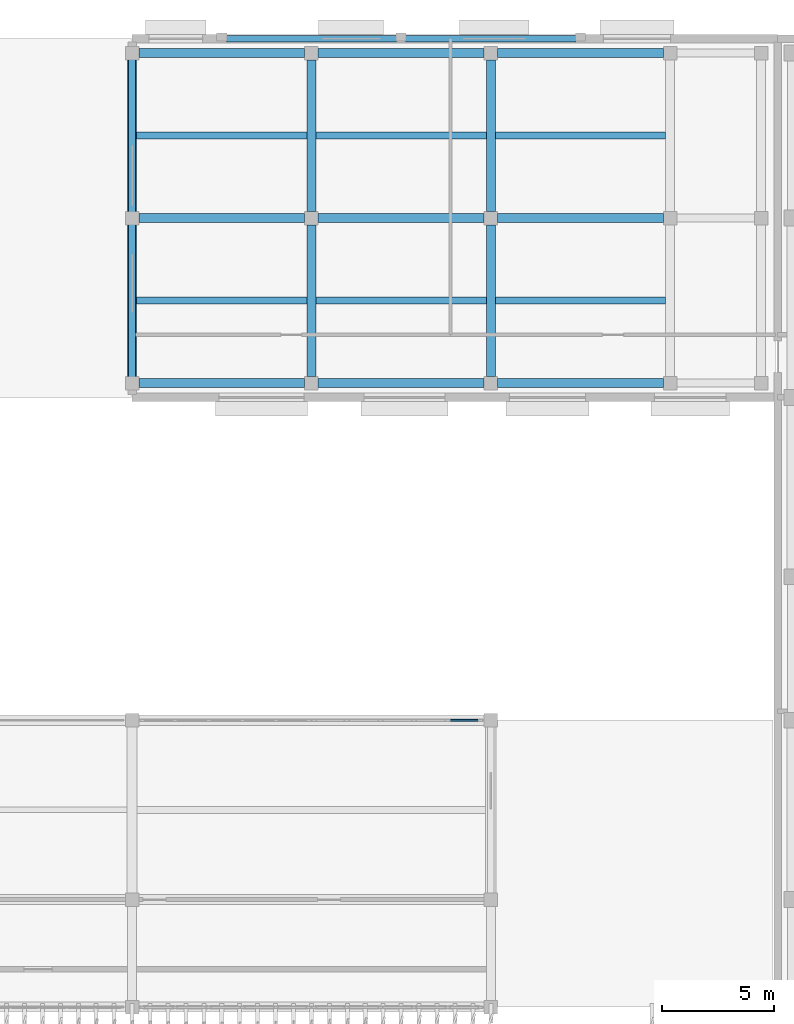
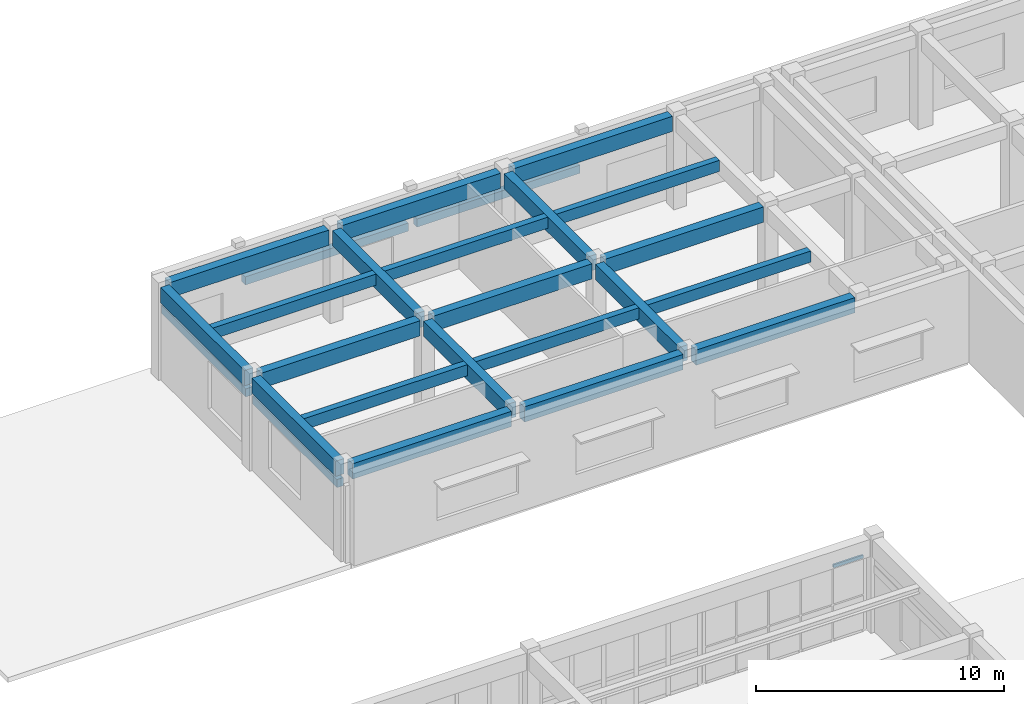
# One storey, part 38 of 76: 25 beams, 1 member, 1 element without a shape of its own.
"""IFC4 building model written with IfcOpenShell, lengths in metres."""

import ifcopenshell
import ifcopenshell.guid

model = None  # the IFC model being written
_history = None  # IfcOwnerHistory: only IFC2X3 demands one
_inside = {}  # id of a spatial element -> (the spatial element, [elements in it])
_under = {}  # id of a project, library or spatial element -> (it, [spatial elements below it])
_declared = {}  # id of a project -> (the project, [libraries it declares])
_typed = {}  # id of a type object -> (the type object, [elements of that type])
_made_of = {}  # id of a material, layer set ... -> (it, [elements and type objects made of it])


def new_model(schema):
    """Start an empty IFC model of exactly this schema.

    Asked for "IFC4X3", IfcOpenShell would pick the latest addendum, in which some entities
    have other attributes; the version numbers below select the first issue.
    IFC2X3 requires an IfcOwnerHistory on every rooted entity: one is made here for all.
    """
    global model, _history
    if schema == "IFC4X3":
        model = ifcopenshell.file(schema_version=(4, 3, 0, 0))
    else:
        model = ifcopenshell.file(schema=schema)
    _inside.clear()
    _under.clear()
    _declared.clear()
    _typed.clear()
    _made_of.clear()
    _history = None
    if model.schema == "IFC2X3":
        org = make("IfcOrganization", Name="unknown")
        user = make(
            "IfcPersonAndOrganization",
            ThePerson=make("IfcPerson", FamilyName="unknown"),
            TheOrganization=org,
        )
        app = make(
            "IfcApplication",
            ApplicationDeveloper=org,
            Version="unknown",
            ApplicationFullName="unknown",
            ApplicationIdentifier="unknown",
        )
        _history = make(
            "IfcOwnerHistory",
            OwningUser=user,
            OwningApplication=app,
            ChangeAction="ADDED",
            CreationDate=0,
        )
    return model


def make(cls, **values):
    """One entity of the class cls with the attributes given. An attribute that is None is left unset."""
    return model.create_entity(
        cls, **{name: value for name, value in values.items() if value is not None}
    )


def rooted(cls, **values):
    """An entity with a GlobalId (a new one), such as an element, a storey or a relation."""
    return make(cls, GlobalId=ifcopenshell.guid.new(), OwnerHistory=_history, **values)


def si_unit(unit_type, name, prefix=None):
    """IfcSIUnit, for example si_unit("LENGTHUNIT", "METRE", prefix="MILLI")."""
    return make("IfcSIUnit", UnitType=unit_type, Prefix=prefix, Name=name)


def assignment(units):
    """IfcUnitAssignment: the units of a project."""
    return None if units is None else make("IfcUnitAssignment", Units=units)


def point(xyz):
    """IfcCartesianPoint."""
    return None if xyz is None else make("IfcCartesianPoint", Coordinates=xyz)


def direction(xyz):
    """IfcDirection."""
    return None if xyz is None else make("IfcDirection", DirectionRatios=xyz)


def frame(location, z_axis=None, x_axis=None):
    """IfcAxis2Placement3D, a coordinate frame: its origin and axes. An axis left out is left unset."""
    return make(
        "IfcAxis2Placement3D",
        Location=point(location),
        Axis=direction(z_axis),
        RefDirection=direction(x_axis),
    )


def frame_2d(location, x_axis=None):
    """IfcAxis2Placement2D, a coordinate frame in the plane: its origin and x axis."""
    return make(
        "IfcAxis2Placement2D", Location=point(location), RefDirection=direction(x_axis)
    )


def origin():
    """The frame at (0, 0, 0) with its axes left unset."""
    return frame((0.0, 0.0, 0.0))


def origin_2d():
    """The frame at (0, 0) in the plane with its x axis left unset."""
    return frame_2d((0.0, 0.0))


def place(relative_to, where):
    """IfcLocalPlacement: puts the frame where relative to a parent placement (None: the world)."""
    return make(
        "IfcLocalPlacement", PlacementRelTo=relative_to, RelativePlacement=where
    )


def context(
    kind, dimensions, precision=None, world=None, true_north=None, identifier=None
):
    """IfcGeometricRepresentationContext, for example the 3D "Model" context."""
    return make(
        "IfcGeometricRepresentationContext",
        ContextIdentifier=identifier,
        ContextType=kind,
        CoordinateSpaceDimension=dimensions,
        Precision=precision,
        WorldCoordinateSystem=world,
        TrueNorth=true_north,
    )


def subcontext(parent, identifier, kind, view, scale=None):
    """IfcGeometricRepresentationSubContext, for example "Body" below "Model"."""
    return make(
        "IfcGeometricRepresentationSubContext",
        ContextIdentifier=identifier,
        ContextType=kind,
        ParentContext=parent,
        TargetScale=scale,
        TargetView=view,
    )


def project(units=None, contexts=None):
    """IfcProject with its units and contexts."""
    return rooted(
        "IfcProject",
        Name="project",
        RepresentationContexts=contexts,
        UnitsInContext=assignment(units),
    )


def spatial(cls, under=None, at=None, **own):
    """A site, building, storey or space (cls), placed at a placement, below another one or the project."""
    s = rooted(cls, ObjectPlacement=at, **own)
    if under is not None:
        _under.setdefault(under.id(), (under, []))[1].append(s)
    return s


def profile(cls, at=None, kind="AREA", **sizes):
    """A parametric profile (cls). Its sizes go by their IFC names, for example OverallWidth=200.0."""
    return make(cls, ProfileType=kind, Position=at, **sizes)


def rectangle(**sizes):
    """IfcRectangleProfileDef."""
    return profile("IfcRectangleProfileDef", **sizes)


def extrude(swept, where, along, depth):
    """IfcExtrudedAreaSolid: the profile swept, set in the frame where, extruded along a direction by depth."""
    return make(
        "IfcExtrudedAreaSolid",
        SweptArea=swept,
        Position=where,
        ExtrudedDirection=direction(along),
        Depth=depth,
    )


def shape(context_of_items, identifier, shape_type, items):
    """IfcShapeRepresentation: the items that make up one representation, for example the "Body"."""
    return make(
        "IfcShapeRepresentation",
        ContextOfItems=context_of_items,
        RepresentationIdentifier=identifier,
        RepresentationType=shape_type,
        Items=items,
    )


def material(Name=None, Category=None):
    """IfcMaterial."""
    return make("IfcMaterial", Name=Name, Category=Category)


def layer(
    of_material, thickness, ventilated=None, Name=None, Category=None, Priority=None
):
    """IfcMaterialLayer: one layer of a wall or slab, of a material (None: an air gap)."""
    return make(
        "IfcMaterialLayer",
        Material=of_material,
        LayerThickness=thickness,
        IsVentilated=ventilated,
        Name=Name,
        Category=Category,
        Priority=Priority,
    )


def layer_set(layers, Name=None):
    """IfcMaterialLayerSet."""
    return make("IfcMaterialLayerSet", MaterialLayers=layers, LayerSetName=Name)


def material_profile(
    of_material, cross_section, Name=None, Category=None, Priority=None
):
    """IfcMaterialProfile: a cross section and its material."""
    return make(
        "IfcMaterialProfile",
        Name=Name,
        Material=of_material,
        Profile=cross_section,
        Priority=Priority,
        Category=Category,
    )


def profile_set(profiles, Name=None, composite=None):
    """IfcMaterialProfileSet."""
    return make(
        "IfcMaterialProfileSet",
        Name=Name,
        MaterialProfiles=profiles,
        CompositeProfile=composite,
    )


def made_of(thing, what):
    """Note that an element or type object is made of a material, layer set ...; save() writes the relation."""
    if what is not None:
        _made_of.setdefault(what.id(), (what, []))[1].append(thing)
    return thing


def type_object(cls, material=None, **own):
    """A type object (cls), such as IfcWallType, which elements share."""
    return made_of(rooted(cls, **own), material)


def element(
    cls,
    number,
    at=None,
    inside=None,
    cuts=None,
    type_object=None,
    material=None,
    context=None,
    identifier="Body",
    shape_type=None,
    held_by="IfcProductDefinitionShape",
    body=None,
    shapes=None,
    **own,
):
    """One element of the class cls, such as IfcWall. Its Tag is "e" and its number.

    at: its placement. inside: the storey or other place that contains it. cuts: it is an
    opening in that element (IfcRelVoidsElement). A single representation is given by context,
    identifier, shape_type and body (its items); several are given by shapes. held_by: the class
    of the entity that holds the representations. save() writes the other relations.
    """
    e = rooted(cls, Tag="e%d" % number, ObjectPlacement=at, **own)
    if body is not None:
        shapes = [shape(context, identifier, shape_type, body)]
    if shapes is not None:
        e.Representation = make(held_by, Representations=shapes)
    if inside is not None:
        _inside.setdefault(inside.id(), (inside, []))[1].append(e)
    if cuts is not None:
        rooted(
            "IfcRelVoidsElement", RelatingBuildingElement=cuts, RelatedOpeningElement=e
        )
    if type_object is not None:
        _typed.setdefault(type_object.id(), (type_object, []))[1].append(e)
    return made_of(e, material)


def aggregate(whole, parts):
    """IfcRelAggregates: a whole, such as a stair, and the parts it consists of."""
    return rooted("IfcRelAggregates", RelatingObject=whole, RelatedObjects=parts)


def save(model, path):
    """Write the relations noted so far, then the file.

    IfcRelAggregates (storeys below a building ...), IfcRelContainedInSpatialStructure (elements
    in a storey), IfcRelDefinesByType, IfcRelAssociatesMaterial and IfcRelDeclares: one each for
    every whole, place, type object, material and project.
    """
    for whole, parts in _under.values():
        aggregate(whole, parts)
    for where, things in _inside.values():
        rooted(
            "IfcRelContainedInSpatialStructure",
            RelatedElements=things,
            RelatingStructure=where,
        )
    for kind, things in _typed.values():
        rooted("IfcRelDefinesByType", RelatedObjects=things, RelatingType=kind)
    for what, things in _made_of.values():
        rooted("IfcRelAssociatesMaterial", RelatedObjects=things, RelatingMaterial=what)
    for by, libraries in _declared.values():
        rooted("IfcRelDeclares", RelatingContext=by, RelatedDefinitions=libraries)
    model.write(path)


model = new_model("IFC4")

# Units and contexts
model_context = context("Model", 3, precision=1e-05, world=origin(), true_north=direction((0.0, 1.0)))
body_context = subcontext(model_context, "Body", "Model", "MODEL_VIEW")
ifc_project = project(units=[si_unit("LENGTHUNIT", "METRE"), si_unit("AREAUNIT", "SQUARE_METRE"), si_unit("VOLUMEUNIT", "CUBIC_METRE"), si_unit("PLANEANGLEUNIT", "RADIAN"), si_unit("MASSUNIT", "GRAM", prefix="KILO")], contexts=[model_context])

# Site, building, storey
site_placement = place(None, origin())
site = spatial("IfcSite", under=ifc_project, at=site_placement, CompositionType="ELEMENT")
building_placement = place(site_placement, origin())
building = spatial("IfcBuilding", under=site, at=building_placement, Name="Cinchona Park Media Centre", CompositionType="ELEMENT")
storey_placement = place(building_placement, frame((0.0, 0.0, 15.60009765625)))
storey = spatial("IfcBuildingStorey", under=building, at=storey_placement, Name="L03", CompositionType="ELEMENT", Elevation=15.60009765625)

# Beams
ifc_material_1 = material(Name="Concrete C35/45", Category="concrete")
ifc_material_profile_1 = material_profile(ifc_material_1, rectangle(XDim=0.39990234375, YDim=0.75, at=origin_2d()), Name="RB 400X750")
ifc_profile_set_1 = profile_set([ifc_material_profile_1], Name="Concrete C35/45")
beam_type_1 = type_object("IfcBeamType", Name="BEAM-B01-RB400X750", PredefinedType="BEAM", material=ifc_profile_set_1)
for number, where, z_axis, x_axis, name in (
    (1, (111.10009765625, 102.639892578125, 4.179931640625), (1.0, 0.0, 0.0), (0.0, 1.0, 0.0), "Beam B01 L03"),
    (2, (119.10009765625, 102.639892578125, 4.179931640625), (1.0, 0.0, 0.0), (0.0, 1.0, 0.0), "Beam B01 L03"),
    (3, (127.10009765625, 102.639892578125, 4.179931640625), (1.0, 0.0, 0.0), (0.0, 1.0, 0.0), "Beam B01 L03"),
    (4, (111.10009765625, 110.0, 4.179931640625), (1.0, 0.0, 0.0), (0.0, 1.0, 0.0), "Beam B01 L03"),
    (5, (119.10009765625, 110.0, 4.179931640625), (1.0, 0.0, 0.0), (0.0, 1.0, 0.0), "Beam B01 L03"),
    (6, (127.10009765625, 110.0, 4.179931640625), (1.0, 0.0, 0.0), (0.0, 1.0, 0.0), "Beam B01 L03"),
    (7, (111.10009765625, 117.360107421875, 4.179931640625), (1.0, 0.0, 0.0), (0.0, 1.0, 0.0), "Beam B01 L03"),
    (8, (119.10009765625, 117.360107421875, 4.179931640625), (1.0, 0.0, 0.0), (0.0, 1.0, 0.0), "Beam B01 L03"),
    (9, (127.10009765625, 117.360107421875, 4.179931640625), (1.0, 0.0, 0.0), (0.0, 1.0, 0.0), "Beam B01 L03"),
):
    element("IfcBeam", number, at=place(storey_placement, frame(where, z_axis=z_axis, x_axis=x_axis)), inside=storey, type_object=beam_type_1, Name=name, PredefinedType="BEAM", context=body_context, shape_type="SweptSolid", body=[
        extrude(rectangle(XDim=0.39990234375, YDim=0.75, at=origin_2d()), origin(), (0.0, 0.0, 1.0), 7.39990234375),
    ])
for number, where, z_axis, x_axis, name in (
    (10, (110.800048828125, 102.93994140625, 4.179931640625), (0.0, 1.0, 0.0), (-1.0, 0.0, 0.0), "Girder B01 L03"),
    (11, (110.800048828125, 110.300048828125, 4.179931640625), (0.0, 1.0, 0.0), (-1.0, 0.0, 0.0), "Girder B01 L03"),
    (12, (118.800048828125, 102.93994140625, 4.179931640625), (0.0, 1.0, 0.0), (-1.0, 0.0, 0.0), "Girder B01 L03"),
    (13, (118.800048828125, 110.300048828125, 4.179931640625), (0.0, 1.0, 0.0), (-1.0, 0.0, 0.0), "Girder B01 L03"),
    (14, (126.800048828125, 102.93994140625, 4.179931640625), (0.0, 1.0, 0.0), (-1.0, 0.0, 0.0), "Girder B01 L03"),
    (15, (126.800048828125, 110.300048828125, 4.179931640625), (0.0, 1.0, 0.0), (-1.0, 0.0, 0.0), "Girder B01 L03"),
):
    element("IfcBeam", number, at=place(storey_placement, frame(where, z_axis=z_axis, x_axis=x_axis)), inside=storey, type_object=beam_type_1, Name=name, PredefinedType="BEAM", context=body_context, shape_type="SweptSolid", body=[
        extrude(rectangle(XDim=0.39990234375, YDim=0.75, at=origin_2d()), origin(), (0.0, 0.0, 1.0), 6.760009765625),
    ])
ifc_material_2 = material(Name="Concrete C35/45", Category="concrete")
ifc_material_profile_2 = material_profile(ifc_material_2, rectangle(XDim=0.300048828125, YDim=0.550048828125, at=origin_2d()), Name="RB 300X550")
ifc_profile_set_2 = profile_set([ifc_material_profile_2], Name="Concrete C35/45")
beam_type_2 = type_object("IfcBeamType", Name="BEAM-J01-RB300X550", PredefinedType="JOIST", material=ifc_profile_set_2)
for number, where, z_axis, x_axis, name in (
    (16, (111.0, 106.320068359375, 4.27978515625), (1.0, 0.0, 0.0), (0.0, 1.0, 0.0), "Floor Joist J01 L03"),
    (17, (111.0, 113.679931640625, 4.27978515625), (1.0, 0.0, 0.0), (0.0, 1.0, 0.0), "Floor Joist J01 L03"),
    (18, (119.0, 106.320068359375, 4.27978515625), (1.0, 0.0, 0.0), (0.0, 1.0, 0.0), "Floor Joist J01 L03"),
    (19, (119.0, 113.679931640625, 4.27978515625), (1.0, 0.0, 0.0), (0.0, 1.0, 0.0), "Floor Joist J01 L03"),
    (20, (127.0, 106.320068359375, 4.27978515625), (1.0, 0.0, 0.0), (0.0, 1.0, 0.0), "Floor Joist J01 L03"),
    (21, (127.0, 113.679931640625, 4.27978515625), (1.0, 0.0, 0.0), (0.0, 1.0, 0.0), "Floor Joist J01 L03"),
):
    element("IfcBeam", number, at=place(storey_placement, frame(where, z_axis=z_axis, x_axis=x_axis)), inside=storey, type_object=beam_type_2, Name=name, PredefinedType="JOIST", context=body_context, shape_type="SweptSolid", body=[
        extrude(rectangle(XDim=0.300048828125, YDim=0.550048828125, at=origin_2d()), origin(), (0.0, 0.0, 1.0), 7.60009765625),
    ])
ifc_material_3 = material(Name="Concrete C35/45", Category="concrete")
ifc_material_profile_3 = material_profile(ifc_material_3, rectangle(XDim=0.300048828125, YDim=0.39990234375, at=origin_2d()), Name="RL 300X400")
ifc_profile_set_3 = profile_set([ifc_material_profile_3], Name="Concrete C35/45")
beam_type_3 = type_object("IfcBeamType", Name="BEAM-LN02-RL300X400", PredefinedType="LINTEL", material=ifc_profile_set_3)
for number, where, z_axis, x_axis, name in (
    (22, (115.0048828125, 118.0, 2.849853515625), (1.0, 0.0, 0.0), (0.0, 1.0, 0.0), "Window Lintel LN02"),
    (23, (123.0048828125, 118.0, 2.89990234375), (1.0, 0.0, 0.0), (0.0, 1.0, 0.0), "Window Lintel LN02"),
):
    element("IfcBeam", number, at=place(storey_placement, frame(where, z_axis=z_axis, x_axis=x_axis)), inside=storey, type_object=beam_type_3, Name=name, PredefinedType="LINTEL", context=body_context, shape_type="SweptSolid", body=[
        extrude(rectangle(XDim=0.300048828125, YDim=0.39990234375, at=origin_2d()), origin(), (0.0, 0.0, 1.0), 7.590087890625),
    ])
for number, where, z_axis, x_axis, name in (
    (24, (110.800048828125, 102.919921875, 3.449951171875), (0.0, 1.0, 0.0), (-1.0, 0.0, 0.0), "Window Lintel LN02"),
    (25, (110.800048828125, 110.280029296875, 3.449951171875), (0.0, 1.0, 0.0), (-1.0, 0.0, 0.0), "Window Lintel LN02"),
):
    element("IfcBeam", number, at=place(storey_placement, frame(where, z_axis=z_axis, x_axis=x_axis)), inside=storey, type_object=beam_type_3, Name=name, PredefinedType="LINTEL", context=body_context, shape_type="SweptSolid", body=[
        extrude(rectangle(XDim=0.300048828125, YDim=0.39990234375, at=origin_2d()), origin(), (0.0, 0.0, 1.0), 6.800048828125),
    ])

# Curtain wall, member
ifc_material_4 = material(Name="Aluminium Curtain Wall Framing", Category="aluminium")
ifc_layer = layer(ifc_material_4, 0.27001953125)
ifc_layer_set = layer_set([ifc_layer], Name="Aluminium Curtain Wall Framing")
curtain_wall_type = type_object("IfcCurtainWallType", Name="CW-CW07", PredefinedType="USERDEFINED", material=ifc_layer_set)
curtain_wall_placement = place(storey_placement, origin())
curtain_wall = element("IfcCurtainWall", 26, at=curtain_wall_placement, inside=storey, type_object=curtain_wall_type, Name="Curtain Wall CW07 L03", ObjectType="UNITISED CURTAIN WALL", PredefinedType="USERDEFINED")
ifc_material_5 = material(Name="Anodised Aluminium Alloy 6063-T6", Category="aluminium")
ifc_material_profile_4 = material_profile(ifc_material_5, rectangle(XDim=0.074951171875, YDim=0.159912109375, at=origin_2d()), Name="TRN-75X160")
ifc_profile_set_4 = profile_set([ifc_material_profile_4], Name="Anodised Aluminium Alloy 6063-T6")
member_type = type_object("IfcMemberType", Name="TRANSOM-TRN03", PredefinedType="USERDEFINED", material=ifc_profile_set_4)
member_placement = place(storey_placement, frame((124.91748046875, 87.60009765625, 3.6923828125), z_axis=(1.0, 0.0, 0.0), x_axis=(0.0, 1.0, 0.0)))
member = element("IfcMember", 27, at=member_placement, type_object=member_type, Name="CW07 transom 5.3", ObjectType="TRANSOM", PredefinedType="USERDEFINED", context=body_context, shape_type="SweptSolid", body=[
    extrude(rectangle(XDim=0.074951171875, YDim=0.159912109375, at=origin_2d()), origin(), (0.0, 0.0, 1.0), 1.387451171875),
])
aggregate(curtain_wall, [member])

save(model, "model.ifc")
